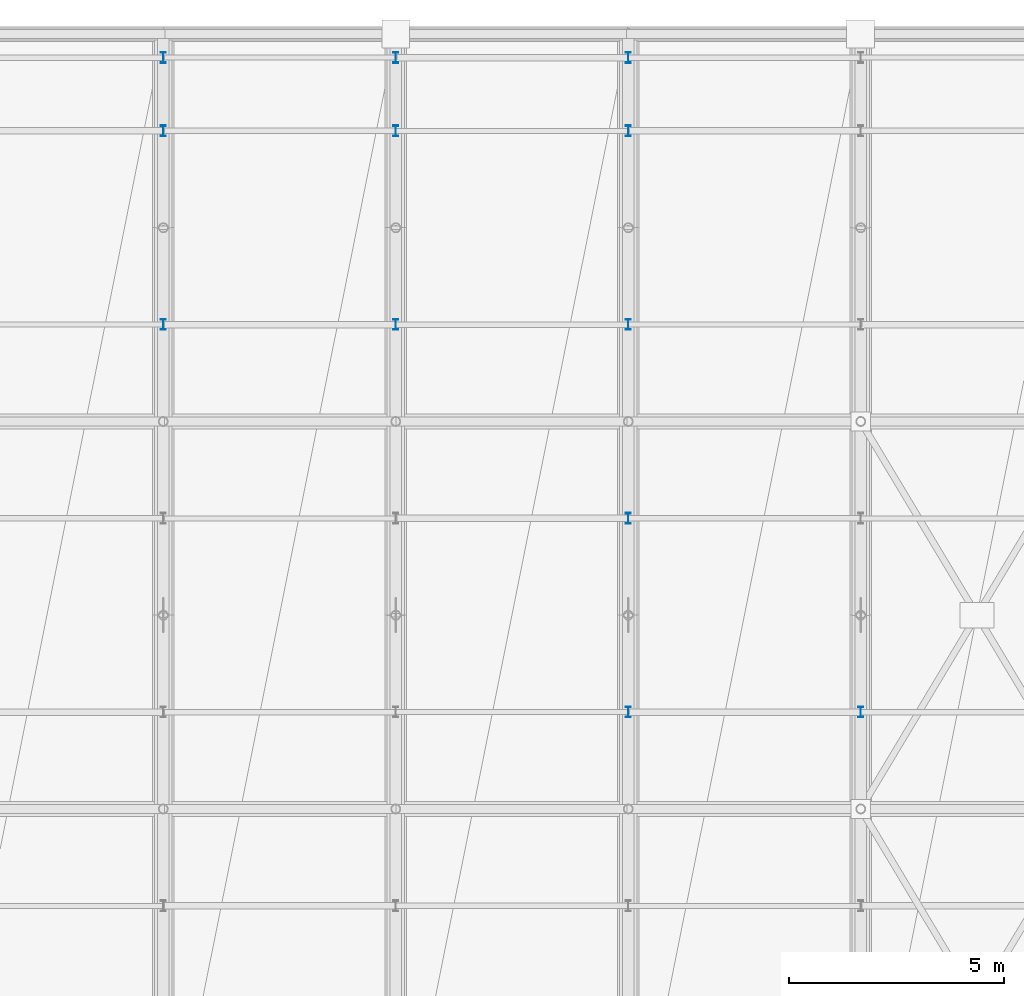
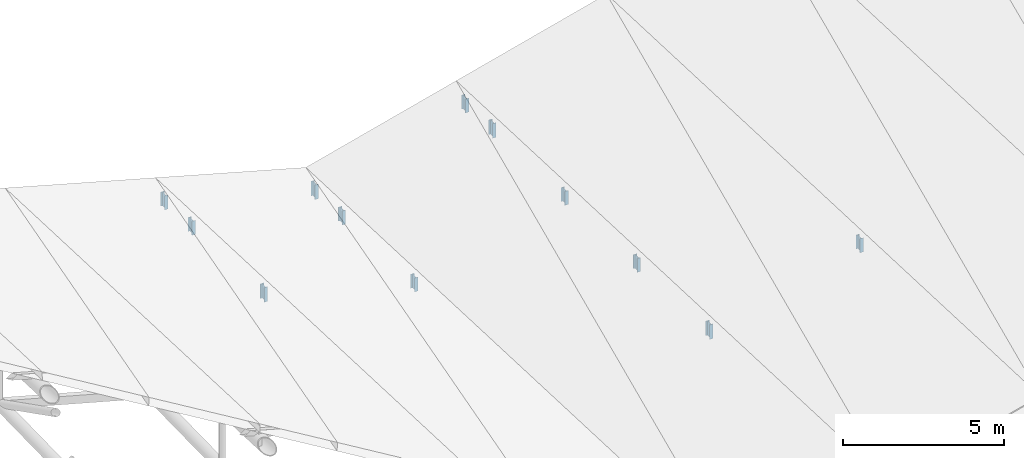
# One storey, part 75 of 109: 12 members.
"""IFC4 building model written with IfcOpenShell, lengths in metres."""

from ifc_helpers import new_model, si_unit, direction, frame, origin, origin_2d, place, context, subcontext, project, spatial, i_section, extrude, material, material_profile, profile_set, type_object, element, save


model = new_model("IFC4")

# Units and contexts
model_context = context("Model", 3, precision=1e-05, world=origin(), true_north=direction((0.0, 1.0)))
body_context = subcontext(model_context, "Body", "Model", "MODEL_VIEW")
ifc_project = project(units=[si_unit("LENGTHUNIT", "METRE"), si_unit("AREAUNIT", "SQUARE_METRE"), si_unit("VOLUMEUNIT", "CUBIC_METRE"), si_unit("PLANEANGLEUNIT", "RADIAN"), si_unit("MASSUNIT", "GRAM", prefix="KILO")], contexts=[model_context])

# Site, building, storey
site_placement = place(None, origin())
site = spatial("IfcSite", under=ifc_project, at=site_placement, CompositionType="ELEMENT")
building_placement = place(site_placement, origin())
building = spatial("IfcBuilding", under=site, at=building_placement, Name="Suirenkawa Promenade Aquatics Centre", CompositionType="ELEMENT")
storey_placement = place(building_placement, frame((0.0, 0.0, 22.800048828125)))
storey = spatial("IfcBuildingStorey", under=building, at=storey_placement, Name="ROOF", CompositionType="ELEMENT", Elevation=22.800048828125)

# Members
ifc_material = material(Name="Steel IS 2062 E350 (Grade 350)", Category="steel")
ifc_material_profile = material_profile(ifc_material, i_section(OverallWidth=0.125, OverallDepth=0.25, WebThickness=0.007080078125, FlangeThickness=0.012939453125, at=origin_2d()), Name="ISMB 250", Category="steel")
ifc_profile_set = profile_set([ifc_material_profile], Name="Steel IS 2062 E350 (Grade 350)")
member_type = type_object("IfcMemberType", Name="MT-WEB-CHS168", PredefinedType="BRACE", material=ifc_profile_set)
member_1_placement = place(storey_placement, frame((84.60009765625, 115.64990234375, -8.7451171875), z_axis=(0.0, 0.0, 1.0), x_axis=(1.0, 0.0, 0.0)))
element("IfcMember", 1, at=member_1_placement, inside=storey, type_object=member_type, Name="ROOF TRUSS Purlin cleat post TD-03 MB-1934", PredefinedType="BRACE", context=body_context, shape_type="SweptSolid", body=[
    extrude(i_section(OverallWidth=0.125, OverallDepth=0.25, WebThickness=0.007080078125, FlangeThickness=0.012939453125, at=origin_2d()), origin(), (0.0, 0.0, 1.0), 0.552978515625),
])
member_2_placement = place(storey_placement, frame((84.60009765625, 120.14990234375, -8.927978515625), z_axis=(0.0, 0.0, 1.0), x_axis=(1.0, 0.0, 0.0)))
element("IfcMember", 2, at=member_2_placement, inside=storey, type_object=member_type, Name="ROOF TRUSS Purlin cleat post TD-03 MB-1936", PredefinedType="BRACE", context=body_context, shape_type="SweptSolid", body=[
    extrude(i_section(OverallWidth=0.125, OverallDepth=0.25, WebThickness=0.007080078125, FlangeThickness=0.012939453125, at=origin_2d()), origin(), (0.0, 0.0, 1.0), 0.52685546875),
])
member_3_placement = place(storey_placement, frame((84.60009765625, 121.85009765625, -8.998046875), z_axis=(0.0, 0.0, 1.0), x_axis=(1.0, 0.0, 0.0)))
element("IfcMember", 3, at=member_3_placement, inside=storey, type_object=member_type, Name="ROOF TRUSS Purlin cleat post TD-03 MB-1938", PredefinedType="BRACE", context=body_context, shape_type="SweptSolid", body=[
    extrude(i_section(OverallWidth=0.125, OverallDepth=0.25, WebThickness=0.007080078125, FlangeThickness=0.012939453125, at=origin_2d()), origin(), (0.0, 0.0, 1.0), 0.529052734375),
])
member_4_placement = place(storey_placement, frame((90.0, 115.64990234375, -10.2451171875), z_axis=(0.0, 0.0, 1.0), x_axis=(1.0, 0.0, 0.0)))
element("IfcMember", 4, at=member_4_placement, inside=storey, type_object=member_type, Name="ROOF TRUSS Purlin cleat post TD-03 MB-1970", PredefinedType="BRACE", context=body_context, shape_type="SweptSolid", body=[
    extrude(i_section(OverallWidth=0.125, OverallDepth=0.25, WebThickness=0.007080078125, FlangeThickness=0.012939453125, at=origin_2d()), origin(), (0.0, 0.0, 1.0), 0.528076171875),
])
member_5_placement = place(storey_placement, frame((90.0, 120.14990234375, -10.427978515625), z_axis=(0.0, 0.0, 1.0), x_axis=(1.0, 0.0, 0.0)))
element("IfcMember", 5, at=member_5_placement, inside=storey, type_object=member_type, Name="ROOF TRUSS Purlin cleat post TD-03 MB-1972", PredefinedType="BRACE", context=body_context, shape_type="SweptSolid", body=[
    extrude(i_section(OverallWidth=0.125, OverallDepth=0.25, WebThickness=0.007080078125, FlangeThickness=0.012939453125, at=origin_2d()), origin(), (0.0, 0.0, 1.0), 0.52783203125),
])
member_6_placement = place(storey_placement, frame((90.0, 121.85009765625, -10.498046875), z_axis=(0.0, 0.0, 1.0), x_axis=(1.0, 0.0, 0.0)))
element("IfcMember", 6, at=member_6_placement, inside=storey, type_object=member_type, Name="ROOF TRUSS Purlin cleat post TD-03 MB-1974", PredefinedType="BRACE", context=body_context, shape_type="SweptSolid", body=[
    extrude(i_section(OverallWidth=0.125, OverallDepth=0.25, WebThickness=0.007080078125, FlangeThickness=0.012939453125, at=origin_2d()), origin(), (0.0, 0.0, 1.0), 0.553955078125),
])
member_7_placement = place(storey_placement, frame((95.39990234375, 106.64990234375, -8.47802734375), z_axis=(0.0, 0.0, 1.0), x_axis=(1.0, 0.0, 0.0)))
element("IfcMember", 7, at=member_7_placement, inside=storey, type_object=member_type, Name="ROOF TRUSS Purlin cleat post TD-03 MB-2002", PredefinedType="BRACE", context=body_context, shape_type="SweptSolid", body=[
    extrude(i_section(OverallWidth=0.125, OverallDepth=0.25, WebThickness=0.007080078125, FlangeThickness=0.012939453125, at=origin_2d()), origin(), (0.0, 0.0, 1.0), 0.552978515625),
])
member_8_placement = place(storey_placement, frame((95.39990234375, 111.14990234375, -8.662109375), z_axis=(0.0, 0.0, 1.0), x_axis=(1.0, 0.0, 0.0)))
element("IfcMember", 8, at=member_8_placement, inside=storey, type_object=member_type, Name="ROOF TRUSS Purlin cleat post TD-03 MB-2004", PredefinedType="BRACE", context=body_context, shape_type="SweptSolid", body=[
    extrude(i_section(OverallWidth=0.125, OverallDepth=0.25, WebThickness=0.007080078125, FlangeThickness=0.012939453125, at=origin_2d()), origin(), (0.0, 0.0, 1.0), 0.528076171875),
])
member_9_placement = place(storey_placement, frame((95.39990234375, 115.64990234375, -8.844970703125), z_axis=(0.0, 0.0, 1.0), x_axis=(1.0, 0.0, 0.0)))
element("IfcMember", 9, at=member_9_placement, inside=storey, type_object=member_type, Name="ROOF TRUSS Purlin cleat post TD-03 MB-2006", PredefinedType="BRACE", context=body_context, shape_type="SweptSolid", body=[
    extrude(i_section(OverallWidth=0.125, OverallDepth=0.25, WebThickness=0.007080078125, FlangeThickness=0.012939453125, at=origin_2d()), origin(), (0.0, 0.0, 1.0), 0.52783203125),
])
member_10_placement = place(storey_placement, frame((95.39990234375, 120.14990234375, -9.028076171875), z_axis=(0.0, 0.0, 1.0), x_axis=(1.0, 0.0, 0.0)))
element("IfcMember", 10, at=member_10_placement, inside=storey, type_object=member_type, Name="ROOF TRUSS Purlin cleat post TD-03 MB-2008", PredefinedType="BRACE", context=body_context, shape_type="SweptSolid", body=[
    extrude(i_section(OverallWidth=0.125, OverallDepth=0.25, WebThickness=0.007080078125, FlangeThickness=0.012939453125, at=origin_2d()), origin(), (0.0, 0.0, 1.0), 0.552978515625),
])
member_11_placement = place(storey_placement, frame((95.39990234375, 121.85009765625, -9.09814453125), z_axis=(0.0, 0.0, 1.0), x_axis=(1.0, 0.0, 0.0)))
element("IfcMember", 11, at=member_11_placement, inside=storey, type_object=member_type, Name="ROOF TRUSS Purlin cleat post TD-03 MB-2010", PredefinedType="BRACE", context=body_context, shape_type="SweptSolid", body=[
    extrude(i_section(OverallWidth=0.125, OverallDepth=0.25, WebThickness=0.007080078125, FlangeThickness=0.012939453125, at=origin_2d()), origin(), (0.0, 0.0, 1.0), 0.528076171875),
])
member_12_placement = place(storey_placement, frame((100.800048828125, 106.64990234375, -7.078125), z_axis=(0.0, 0.0, 1.0), x_axis=(1.0, 0.0, 0.0)))
element("IfcMember", 12, at=member_12_placement, inside=storey, type_object=member_type, Name="ROOF TRUSS Purlin cleat post TD-03 MB-2038", PredefinedType="BRACE", context=body_context, shape_type="SweptSolid", body=[
    extrude(i_section(OverallWidth=0.125, OverallDepth=0.25, WebThickness=0.007080078125, FlangeThickness=0.012939453125, at=origin_2d()), origin(), (0.0, 0.0, 1.0), 0.527099609375),
])

save(model, "model.ifc")
